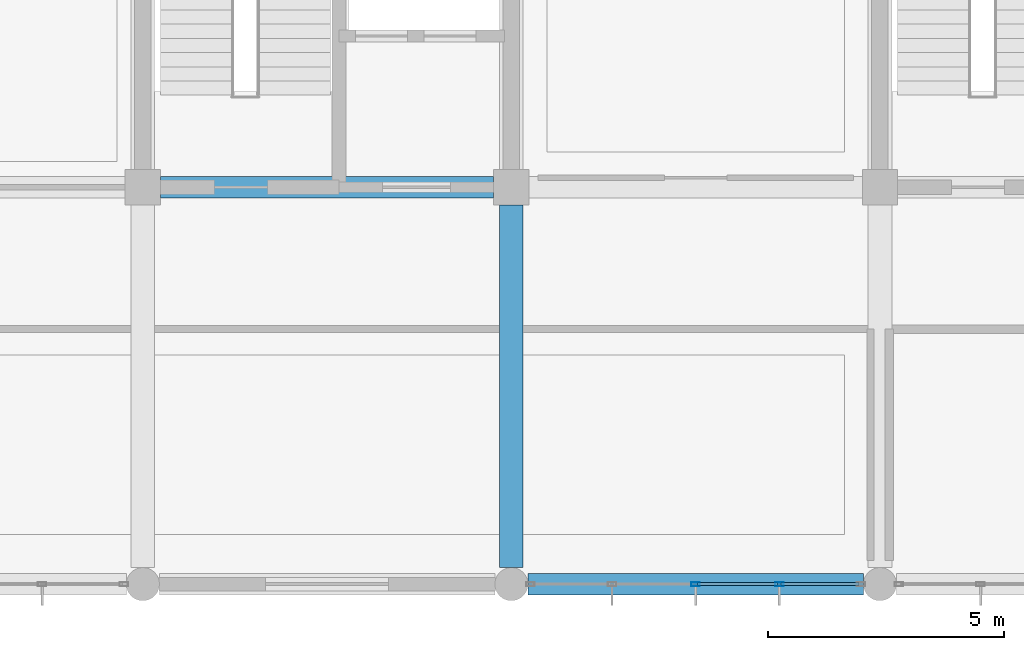
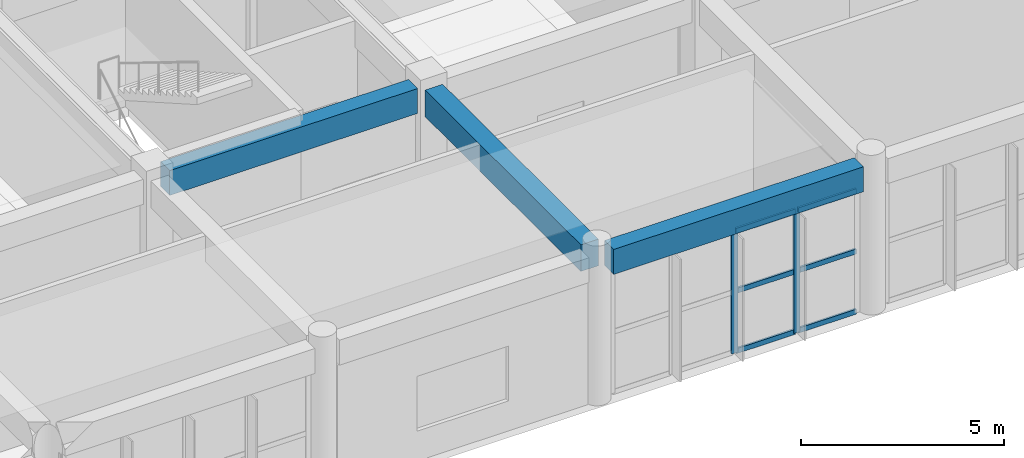
# One storey, part 32 of 175: 8 members, 3 beams, 1 element without a shape of its own.
"""IFC4 building model written with IfcOpenShell, lengths in metres."""

from ifc_helpers import new_model, si_unit, direction, frame, origin, origin_2d, place, context, subcontext, project, spatial, rectangle, hollow_rectangle, extrude, material, layer, layer_set, material_profile, profile_set, type_object, element, aggregate, save


model = new_model("IFC4")

# Units and contexts
model_context = context("Model", 3, precision=1e-05, world=origin(), true_north=direction((0.0, 1.0)))
body_context = subcontext(model_context, "Body", "Model", "MODEL_VIEW")
ifc_project = project(units=[si_unit("LENGTHUNIT", "METRE"), si_unit("AREAUNIT", "SQUARE_METRE"), si_unit("VOLUMEUNIT", "CUBIC_METRE"), si_unit("PLANEANGLEUNIT", "RADIAN"), si_unit("MASSUNIT", "GRAM", prefix="KILO")], contexts=[model_context])

# Site, building, storey
site_placement = place(None, origin())
site = spatial("IfcSite", under=ifc_project, at=site_placement, CompositionType="ELEMENT")
building_placement = place(site_placement, origin())
building = spatial("IfcBuilding", under=site, at=building_placement, Name="Zizhar Promenade General Hospital", CompositionType="ELEMENT")
storey_placement = place(building_placement, frame((0.0, 0.0, 4.800048828125)))
storey = spatial("IfcBuildingStorey", under=building, at=storey_placement, Name="L01", CompositionType="ELEMENT", Elevation=4.800048828125)

# Beams
ifc_material_1 = material(Name="Concrete C35/45", Category="concrete")
ifc_material_profile_1 = material_profile(ifc_material_1, rectangle(XDim=0.449951171875, YDim=0.75, at=origin_2d()))
ifc_profile_set_1 = profile_set([ifc_material_profile_1], Name="Concrete C35/45")
beam_type_1 = type_object("IfcBeamType", Name="BM-RC-450x750", PredefinedType="BEAM", material=ifc_profile_set_1)
beam_1_placement = place(storey_placement, frame((78.375, 8.39990234375, 4.094970703125), z_axis=(1.0, 0.0, 0.0), x_axis=(0.0, 1.0, 0.0)))
element("IfcBeam", 1, at=beam_1_placement, inside=storey, type_object=beam_type_1, Name="Grid Beam X L01 (10-1)", PredefinedType="BEAM", context=body_context, shape_type="SweptSolid", body=[
    extrude(rectangle(XDim=0.449951171875, YDim=0.75, at=origin_2d()), origin(), (0.0, 0.0, 1.0), 7.050048828125),
])
beam_2_placement = place(storey_placement, frame((86.14990234375, 0.0, 4.094970703125), z_axis=(1.0, 0.0, 0.0), x_axis=(0.0, 1.0, 0.0)))
element("IfcBeam", 2, at=beam_2_placement, inside=storey, type_object=beam_type_1, Name="Grid Beam X L01 (11-0)", PredefinedType="BEAM", context=body_context, shape_type="SweptSolid", body=[
    extrude(rectangle(XDim=0.449951171875, YDim=0.75, at=origin_2d()), origin(), (0.0, 0.0, 1.0), 7.10009765625),
])
ifc_material_2 = material(Name="Concrete C35/45", Category="concrete")
ifc_material_profile_2 = material_profile(ifc_material_2, rectangle(XDim=0.5, YDim=0.800048828125, at=origin_2d()))
ifc_profile_set_2 = profile_set([ifc_material_profile_2], Name="Concrete C35/45")
beam_type_2 = type_object("IfcBeamType", Name="BM-RC-500x800", PredefinedType="BEAM", material=ifc_profile_set_2)
beam_3_placement = place(storey_placement, frame((85.800048828125, 0.35009765625, 4.070068359375), z_axis=(0.0, 1.0, 0.0), x_axis=(-1.0, 0.0, 0.0)))
element("IfcBeam", 3, at=beam_3_placement, inside=storey, type_object=beam_type_2, Name="Grid Beam Y L01 (11-0)", PredefinedType="BEAM", context=body_context, shape_type="SweptSolid", body=[
    extrude(rectangle(XDim=0.5, YDim=0.800048828125, at=origin_2d()), origin(), (0.0, 0.0, 1.0), 7.6748046875),
])

# Curtain wall, members
ifc_material_3 = material(Name="Anodised aluminium 6063-T6 and low-E glass", Category="aluminium")
ifc_layer = layer(ifc_material_3, 0.159912109375)
ifc_layer_set = layer_set([ifc_layer], Name="Anodised aluminium 6063-T6 and low-E glass")
curtain_wall_type = type_object("IfcCurtainWallType", Name="CW-DT-MOD1", PredefinedType="NOTDEFINED", material=ifc_layer_set)
curtain_wall_placement = place(storey_placement, origin())
curtain_wall = element("IfcCurtainWall", 4, at=curtain_wall_placement, inside=storey, type_object=curtain_wall_type, Name="Riverfront Clinical Curtain Wall L01-10", PredefinedType="NOTDEFINED")
ifc_material_4 = material(Name="Anodised aluminium 6063-T6", Category="aluminium")
ifc_material_profile_3 = material_profile(ifc_material_4, hollow_rectangle(XDim=0.080078125, YDim=0.179931640625, WallThickness=0.0048828125, at=origin_2d()))
ifc_profile_set_3 = profile_set([ifc_material_profile_3], Name="Anodised aluminium 6063-T6")
member_type_1 = type_object("IfcMemberType", Name="CWM-ALU-180x80", PredefinedType="MULLION", material=ifc_profile_set_3)
member_1_placement = place(storey_placement, frame((91.469970703125, 0.0, 0.0), z_axis=(0.0, 0.0, 1.0), x_axis=(0.0, -1.0, 0.0)))
member_1 = element("IfcMember", 5, at=member_1_placement, type_object=member_type_1, Name="CW-07 mullion 2", PredefinedType="MULLION", context=body_context, shape_type="SweptSolid", body=[
    extrude(hollow_rectangle(XDim=0.080078125, YDim=0.179931640625, WallThickness=0.0048828125, at=origin_2d()), origin(), (0.0, 0.0, 1.0), 3.679931640625),
])
member_2_placement = place(storey_placement, frame((89.699951171875, 0.0, 0.0), z_axis=(0.0, 0.0, 1.0), x_axis=(0.0, -1.0, 0.0)))
member_2 = element("IfcMember", 6, at=member_2_placement, type_object=member_type_1, Name="CW-07 mullion 3", PredefinedType="MULLION", context=body_context, shape_type="SweptSolid", body=[
    extrude(hollow_rectangle(XDim=0.080078125, YDim=0.179931640625, WallThickness=0.0048828125, at=origin_2d()), origin(), (0.0, 0.0, 1.0), 3.679931640625),
])
ifc_material_5 = material(Name="Anodised aluminium 6063-T6", Category="aluminium")
ifc_material_profile_4 = material_profile(ifc_material_5, hollow_rectangle(XDim=0.06005859375, YDim=0.14990234375, WallThickness=0.00390625, at=origin_2d()))
ifc_profile_set_4 = profile_set([ifc_material_profile_4], Name="Anodised aluminium 6063-T6")
member_type_2 = type_object("IfcMemberType", Name="CWT-ALU-150x60", PredefinedType="USERDEFINED", material=ifc_profile_set_4)
member_3_placement = place(storey_placement, frame((93.159912109375, 0.0, 0.030029296875), z_axis=(-1.0, 0.0, 0.0), x_axis=(0.0, -1.0, 0.0)))
member_3 = element("IfcMember", 7, at=member_3_placement, type_object=member_type_2, Name="CW-07 transom 1.1", ObjectType="TRANSOM", PredefinedType="USERDEFINED", context=body_context, shape_type="SweptSolid", body=[
    extrude(hollow_rectangle(XDim=0.06005859375, YDim=0.14990234375, WallThickness=0.00390625, at=origin_2d()), origin(), (0.0, 0.0, 1.0), 1.64990234375),
])
member_4_placement = place(storey_placement, frame((93.159912109375, 0.0, 1.83984375), z_axis=(-1.0, 0.0, 0.0), x_axis=(0.0, -1.0, 0.0)))
member_4 = element("IfcMember", 8, at=member_4_placement, type_object=member_type_2, Name="CW-07 transom 1.2", ObjectType="TRANSOM", PredefinedType="USERDEFINED", context=body_context, shape_type="SweptSolid", body=[
    extrude(hollow_rectangle(XDim=0.06005859375, YDim=0.14990234375, WallThickness=0.00390625, at=origin_2d()), origin(), (0.0, 0.0, 1.0), 1.64990234375),
])
member_5_placement = place(storey_placement, frame((93.159912109375, 0.0, 3.64990234375), z_axis=(-1.0, 0.0, 0.0), x_axis=(0.0, -1.0, 0.0)))
member_5 = element("IfcMember", 9, at=member_5_placement, type_object=member_type_2, Name="CW-07 transom 1.3", ObjectType="TRANSOM", PredefinedType="USERDEFINED", context=body_context, shape_type="SweptSolid", body=[
    extrude(hollow_rectangle(XDim=0.06005859375, YDim=0.14990234375, WallThickness=0.00390625, at=origin_2d()), origin(), (0.0, 0.0, 1.0), 1.64990234375),
])
member_6_placement = place(storey_placement, frame((91.429931640625, 0.0, 0.030029296875), z_axis=(-1.0, 0.0, 0.0), x_axis=(0.0, -1.0, 0.0)))
member_6 = element("IfcMember", 10, at=member_6_placement, type_object=member_type_2, Name="CW-07 transom 2.1", ObjectType="TRANSOM", PredefinedType="USERDEFINED", context=body_context, shape_type="SweptSolid", body=[
    extrude(hollow_rectangle(XDim=0.06005859375, YDim=0.14990234375, WallThickness=0.00390625, at=origin_2d()), origin(), (0.0, 0.0, 1.0), 1.68994140625),
])
member_7_placement = place(storey_placement, frame((91.429931640625, 0.0, 1.83984375), z_axis=(-1.0, 0.0, 0.0), x_axis=(0.0, -1.0, 0.0)))
member_7 = element("IfcMember", 11, at=member_7_placement, type_object=member_type_2, Name="CW-07 transom 2.2", ObjectType="TRANSOM", PredefinedType="USERDEFINED", context=body_context, shape_type="SweptSolid", body=[
    extrude(hollow_rectangle(XDim=0.06005859375, YDim=0.14990234375, WallThickness=0.00390625, at=origin_2d()), origin(), (0.0, 0.0, 1.0), 1.68994140625),
])
member_8_placement = place(storey_placement, frame((91.429931640625, 0.0, 3.64990234375), z_axis=(-1.0, 0.0, 0.0), x_axis=(0.0, -1.0, 0.0)))
member_8 = element("IfcMember", 12, at=member_8_placement, type_object=member_type_2, Name="CW-07 transom 2.3", ObjectType="TRANSOM", PredefinedType="USERDEFINED", context=body_context, shape_type="SweptSolid", body=[
    extrude(hollow_rectangle(XDim=0.06005859375, YDim=0.14990234375, WallThickness=0.00390625, at=origin_2d()), origin(), (0.0, 0.0, 1.0), 1.68994140625),
])
aggregate(curtain_wall, [member_1, member_2, member_3, member_4, member_5, member_6, member_7, member_8])

save(model, "model.ifc")
